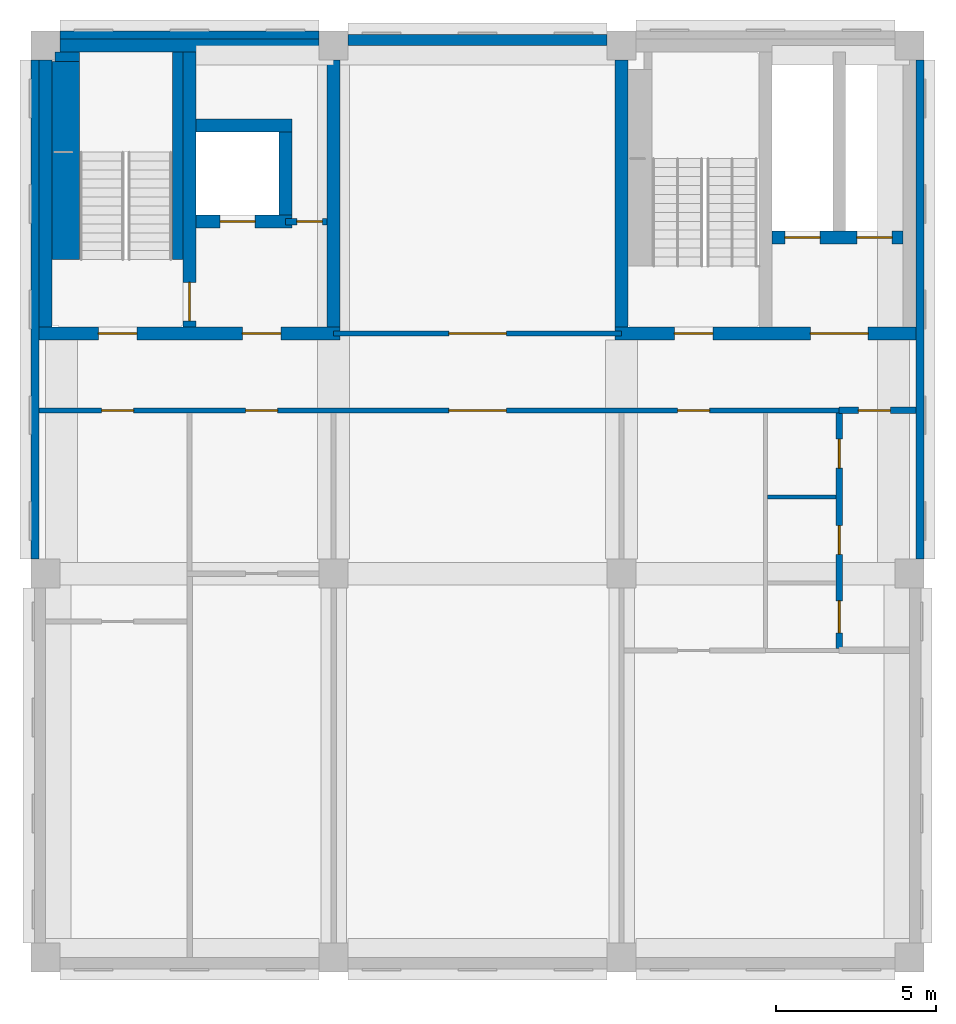
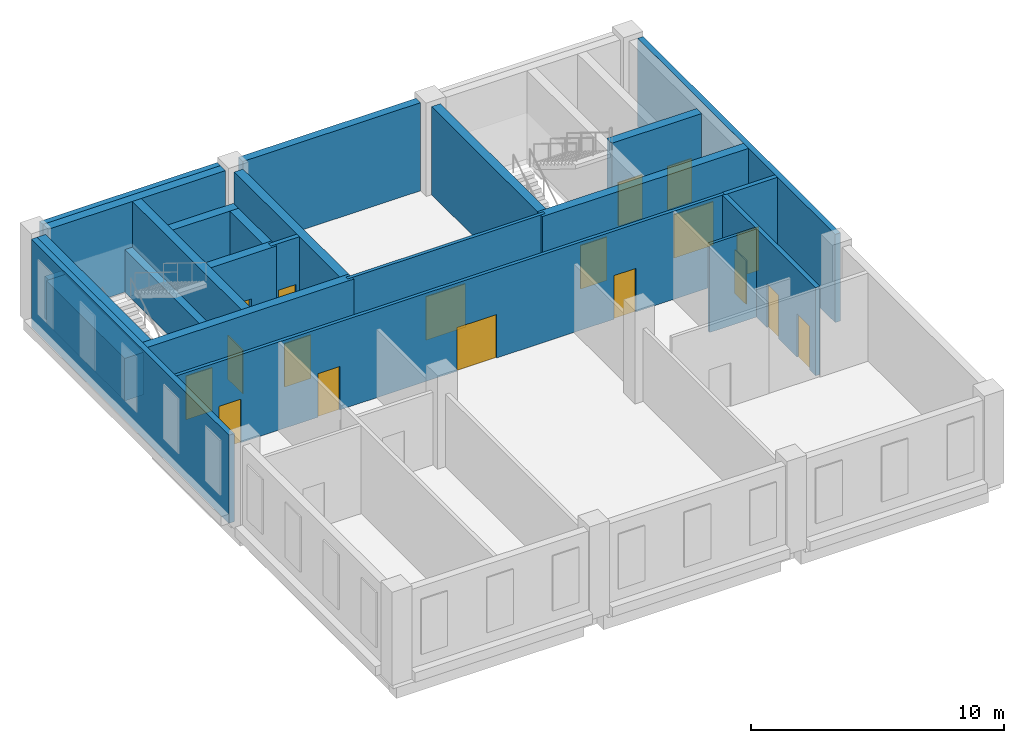
# One storey, part 2 of 5: 24 walls, 18 doors, 18 openings.
"""IFC4 building model written with IfcOpenShell, lengths in metres."""

import ifcopenshell
import ifcopenshell.guid

model = None  # the IFC model being written
_history = None  # IfcOwnerHistory: only IFC2X3 demands one
_inside = {}  # id of a spatial element -> (the spatial element, [elements in it])
_under = {}  # id of a project, library or spatial element -> (it, [spatial elements below it])
_declared = {}  # id of a project -> (the project, [libraries it declares])
_typed = {}  # id of a type object -> (the type object, [elements of that type])
_made_of = {}  # id of a material, layer set ... -> (it, [elements and type objects made of it])


def new_model(schema):
    """Start an empty IFC model of exactly this schema.

    Asked for "IFC4X3", IfcOpenShell would pick the latest addendum, in which some entities
    have other attributes; the version numbers below select the first issue.
    IFC2X3 requires an IfcOwnerHistory on every rooted entity: one is made here for all.
    """
    global model, _history
    if schema == "IFC4X3":
        model = ifcopenshell.file(schema_version=(4, 3, 0, 0))
    else:
        model = ifcopenshell.file(schema=schema)
    _inside.clear()
    _under.clear()
    _declared.clear()
    _typed.clear()
    _made_of.clear()
    _history = None
    if model.schema == "IFC2X3":
        org = make("IfcOrganization", Name="unknown")
        user = make(
            "IfcPersonAndOrganization",
            ThePerson=make("IfcPerson", FamilyName="unknown"),
            TheOrganization=org,
        )
        app = make(
            "IfcApplication",
            ApplicationDeveloper=org,
            Version="unknown",
            ApplicationFullName="unknown",
            ApplicationIdentifier="unknown",
        )
        _history = make(
            "IfcOwnerHistory",
            OwningUser=user,
            OwningApplication=app,
            ChangeAction="ADDED",
            CreationDate=0,
        )
    return model


def make(cls, **values):
    """One entity of the class cls with the attributes given. An attribute that is None is left unset."""
    return model.create_entity(
        cls, **{name: value for name, value in values.items() if value is not None}
    )


def rooted(cls, **values):
    """An entity with a GlobalId (a new one), such as an element, a storey or a relation."""
    return make(cls, GlobalId=ifcopenshell.guid.new(), OwnerHistory=_history, **values)


def si_unit(unit_type, name, prefix=None):
    """IfcSIUnit, for example si_unit("LENGTHUNIT", "METRE", prefix="MILLI")."""
    return make("IfcSIUnit", UnitType=unit_type, Prefix=prefix, Name=name)


def assignment(units):
    """IfcUnitAssignment: the units of a project."""
    return None if units is None else make("IfcUnitAssignment", Units=units)


def point(xyz):
    """IfcCartesianPoint."""
    return None if xyz is None else make("IfcCartesianPoint", Coordinates=xyz)


def direction(xyz):
    """IfcDirection."""
    return None if xyz is None else make("IfcDirection", DirectionRatios=xyz)


def frame(location, z_axis=None, x_axis=None):
    """IfcAxis2Placement3D, a coordinate frame: its origin and axes. An axis left out is left unset."""
    return make(
        "IfcAxis2Placement3D",
        Location=point(location),
        Axis=direction(z_axis),
        RefDirection=direction(x_axis),
    )


def frame_2d(location, x_axis=None):
    """IfcAxis2Placement2D, a coordinate frame in the plane: its origin and x axis."""
    return make(
        "IfcAxis2Placement2D", Location=point(location), RefDirection=direction(x_axis)
    )


def origin():
    """The frame at (0, 0, 0) with its axes left unset."""
    return frame((0.0, 0.0, 0.0))


def place(relative_to, where):
    """IfcLocalPlacement: puts the frame where relative to a parent placement (None: the world)."""
    return make(
        "IfcLocalPlacement", PlacementRelTo=relative_to, RelativePlacement=where
    )


def context(
    kind, dimensions, precision=None, world=None, true_north=None, identifier=None
):
    """IfcGeometricRepresentationContext, for example the 3D "Model" context."""
    return make(
        "IfcGeometricRepresentationContext",
        ContextIdentifier=identifier,
        ContextType=kind,
        CoordinateSpaceDimension=dimensions,
        Precision=precision,
        WorldCoordinateSystem=world,
        TrueNorth=true_north,
    )


def subcontext(parent, identifier, kind, view, scale=None):
    """IfcGeometricRepresentationSubContext, for example "Body" below "Model"."""
    return make(
        "IfcGeometricRepresentationSubContext",
        ContextIdentifier=identifier,
        ContextType=kind,
        ParentContext=parent,
        TargetScale=scale,
        TargetView=view,
    )


def project(units=None, contexts=None):
    """IfcProject with its units and contexts."""
    return rooted(
        "IfcProject",
        Name="project",
        RepresentationContexts=contexts,
        UnitsInContext=assignment(units),
    )


def spatial(cls, under=None, at=None, **own):
    """A site, building, storey or space (cls), placed at a placement, below another one or the project."""
    s = rooted(cls, ObjectPlacement=at, **own)
    if under is not None:
        _under.setdefault(under.id(), (under, []))[1].append(s)
    return s


def profile(cls, at=None, kind="AREA", **sizes):
    """A parametric profile (cls). Its sizes go by their IFC names, for example OverallWidth=200.0."""
    return make(cls, ProfileType=kind, Position=at, **sizes)


def rectangle(**sizes):
    """IfcRectangleProfileDef."""
    return profile("IfcRectangleProfileDef", **sizes)


def extrude(swept, where, along, depth):
    """IfcExtrudedAreaSolid: the profile swept, set in the frame where, extruded along a direction by depth."""
    return make(
        "IfcExtrudedAreaSolid",
        SweptArea=swept,
        Position=where,
        ExtrudedDirection=direction(along),
        Depth=depth,
    )


def shape(context_of_items, identifier, shape_type, items):
    """IfcShapeRepresentation: the items that make up one representation, for example the "Body"."""
    return make(
        "IfcShapeRepresentation",
        ContextOfItems=context_of_items,
        RepresentationIdentifier=identifier,
        RepresentationType=shape_type,
        Items=items,
    )


def material(Name=None, Category=None):
    """IfcMaterial."""
    return make("IfcMaterial", Name=Name, Category=Category)


def layer(
    of_material, thickness, ventilated=None, Name=None, Category=None, Priority=None
):
    """IfcMaterialLayer: one layer of a wall or slab, of a material (None: an air gap)."""
    return make(
        "IfcMaterialLayer",
        Material=of_material,
        LayerThickness=thickness,
        IsVentilated=ventilated,
        Name=Name,
        Category=Category,
        Priority=Priority,
    )


def layer_set(layers, Name=None):
    """IfcMaterialLayerSet."""
    return make("IfcMaterialLayerSet", MaterialLayers=layers, LayerSetName=Name)


def made_of(thing, what):
    """Note that an element or type object is made of a material, layer set ...; save() writes the relation."""
    if what is not None:
        _made_of.setdefault(what.id(), (what, []))[1].append(thing)
    return thing


def type_object(cls, material=None, **own):
    """A type object (cls), such as IfcWallType, which elements share."""
    return made_of(rooted(cls, **own), material)


def element(
    cls,
    number,
    at=None,
    inside=None,
    cuts=None,
    type_object=None,
    material=None,
    context=None,
    identifier="Body",
    shape_type=None,
    held_by="IfcProductDefinitionShape",
    body=None,
    shapes=None,
    **own,
):
    """One element of the class cls, such as IfcWall. Its Tag is "e" and its number.

    at: its placement. inside: the storey or other place that contains it. cuts: it is an
    opening in that element (IfcRelVoidsElement). A single representation is given by context,
    identifier, shape_type and body (its items); several are given by shapes. held_by: the class
    of the entity that holds the representations. save() writes the other relations.
    """
    e = rooted(cls, Tag="e%d" % number, ObjectPlacement=at, **own)
    if body is not None:
        shapes = [shape(context, identifier, shape_type, body)]
    if shapes is not None:
        e.Representation = make(held_by, Representations=shapes)
    if inside is not None:
        _inside.setdefault(inside.id(), (inside, []))[1].append(e)
    if cuts is not None:
        rooted(
            "IfcRelVoidsElement", RelatingBuildingElement=cuts, RelatedOpeningElement=e
        )
    if type_object is not None:
        _typed.setdefault(type_object.id(), (type_object, []))[1].append(e)
    return made_of(e, material)


def fill(opening, filler):
    """IfcRelFillsElement: the door or window that sits in an opening."""
    return rooted(
        "IfcRelFillsElement",
        RelatingOpeningElement=opening,
        RelatedBuildingElement=filler,
    )


def aggregate(whole, parts):
    """IfcRelAggregates: a whole, such as a stair, and the parts it consists of."""
    return rooted("IfcRelAggregates", RelatingObject=whole, RelatedObjects=parts)


def save(model, path):
    """Write the relations noted so far, then the file.

    IfcRelAggregates (storeys below a building ...), IfcRelContainedInSpatialStructure (elements
    in a storey), IfcRelDefinesByType, IfcRelAssociatesMaterial and IfcRelDeclares: one each for
    every whole, place, type object, material and project.
    """
    for whole, parts in _under.values():
        aggregate(whole, parts)
    for where, things in _inside.values():
        rooted(
            "IfcRelContainedInSpatialStructure",
            RelatedElements=things,
            RelatingStructure=where,
        )
    for kind, things in _typed.values():
        rooted("IfcRelDefinesByType", RelatedObjects=things, RelatingType=kind)
    for what, things in _made_of.values():
        rooted("IfcRelAssociatesMaterial", RelatedObjects=things, RelatingMaterial=what)
    for by, libraries in _declared.values():
        rooted("IfcRelDeclares", RelatingContext=by, RelatedDefinitions=libraries)
    model.write(path)


model = new_model("IFC4")

# Units and contexts
model_context = context("Model", 3, precision=1e-05, world=origin(), true_north=direction((0.0, 1.0)))
body_context = subcontext(model_context, "Body", "Model", "MODEL_VIEW")
ifc_project = project(units=[si_unit("LENGTHUNIT", "METRE"), si_unit("AREAUNIT", "SQUARE_METRE"), si_unit("VOLUMEUNIT", "CUBIC_METRE"), si_unit("PLANEANGLEUNIT", "RADIAN"), si_unit("MASSUNIT", "GRAM", prefix="KILO")], contexts=[model_context])

# Site, building, storey
site_placement = place(None, origin())
site = spatial("IfcSite", under=ifc_project, at=site_placement, CompositionType="ELEMENT")
building_placement = place(site_placement, origin())
building = spatial("IfcBuilding", under=site, at=building_placement, Name="Aurelan Courthouse", CompositionType="ELEMENT")
storey_placement = place(building_placement, frame((0.0, 0.0, 53.39990234375)))
storey = spatial("IfcBuildingStorey", under=building, at=storey_placement, Name="L10", CompositionType="ELEMENT", Elevation=53.39990234375)

# Wall, openings, doors
ifc_material_1 = material(Name="Gypsum board on metal studs")
ifc_layer_1 = layer(ifc_material_1, 0.14990234375)
ifc_layer_set_1 = layer_set([ifc_layer_1], Name="Gypsum board on metal studs")
wall_type_1 = type_object("IfcWallType", Name="Corridor partition 150 EI 60", PredefinedType="PARTITIONING", material=ifc_layer_set_1)
wall_1_placement = place(storey_placement, frame((-0.199951171875, 17.10009765625, 0.0), z_axis=(0.0, 0.0, 1.0), x_axis=(1.0, 0.0, 0.0)))
wall_1 = element("IfcWall", 1, at=wall_1_placement, inside=storey, type_object=wall_type_1, Name="Corridor partition L10-008", PredefinedType="PARTITIONING", context=body_context, shape_type="SweptSolid", body=[
    extrude(rectangle(XDim=25.0, YDim=0.14990234375, at=frame_2d((12.5, 0.0))), origin(), (0.0, 0.0, 1.0), 4.25),
])
opening_1_placement = place(wall_1_placement, frame((2.949951171875, 0.0, 0.0), z_axis=(0.0, 0.0, 1.0), x_axis=(-1.0, 0.0, 0.0)))
opening_1 = element("IfcOpeningElement", 2, at=opening_1_placement, cuts=wall_1, Name="Opening D-L10-010", PredefinedType="OPENING", context=body_context, shape_type="SweptSolid", body=[
    extrude(rectangle(XDim=1.0, YDim=2.10009765625, at=frame_2d((0.5, 1.050048828125))), frame((0.0, 0.0849609375, 0.0), z_axis=(0.0, -1.0, 0.0), x_axis=(1.0, 0.0, 0.0)), (0.0, 0.0, 1.0), 0.169921875),
])
opening_2_placement = place(wall_1_placement, frame((7.449951171875, 0.0, 0.0), z_axis=(0.0, 0.0, 1.0), x_axis=(-1.0, 0.0, 0.0)))
opening_2 = element("IfcOpeningElement", 3, at=opening_2_placement, cuts=wall_1, Name="Opening D-L10-012", PredefinedType="OPENING", context=body_context, shape_type="SweptSolid", body=[
    extrude(rectangle(XDim=1.0, YDim=2.10009765625, at=frame_2d((0.5, 1.050048828125))), frame((0.0, 0.0849609375, 0.0), z_axis=(0.0, -1.0, 0.0), x_axis=(1.0, 0.0, 0.0)), (0.0, 0.0, 1.0), 0.169921875),
])
opening_3_placement = place(wall_1_placement, frame((14.60009765625, 0.0, 0.0), z_axis=(0.0, 0.0, 1.0), x_axis=(-1.0, 0.0, 0.0)))
opening_3 = element("IfcOpeningElement", 4, at=opening_3_placement, cuts=wall_1, Name="Opening D-L10-014", PredefinedType="OPENING", context=body_context, shape_type="SweptSolid", body=[
    extrude(rectangle(XDim=1.800048828125, YDim=2.10009765625, at=frame_2d((0.89990234375, 1.050048828125))), frame((0.0, 0.0849609375, 0.0), z_axis=(0.0, -1.0, 0.0), x_axis=(1.0, 0.0, 0.0)), (0.0, 0.0, 1.0), 0.169921875),
])
opening_4_placement = place(wall_1_placement, frame((20.949951171875, 0.0, 0.0), z_axis=(0.0, 0.0, 1.0), x_axis=(-1.0, 0.0, 0.0)))
opening_4 = element("IfcOpeningElement", 5, at=opening_4_placement, cuts=wall_1, Name="Opening D-L10-016", PredefinedType="OPENING", context=body_context, shape_type="SweptSolid", body=[
    extrude(rectangle(XDim=1.0, YDim=2.10009765625, at=frame_2d((0.5, 1.050048828125))), frame((0.0, 0.0849609375, 0.0), z_axis=(0.0, -1.0, 0.0), x_axis=(1.0, 0.0, 0.0)), (0.0, 0.0, 1.0), 0.169921875),
])
ifc_material_2 = material(Name="Steel", Category="steel")
door_type_1 = type_object("IfcDoorType", Name="Double door 1800 x 2100 FD60", OperationType="DOUBLE_DOOR_SINGLE_SWING", PredefinedType="DOOR", material=ifc_material_2)
door_1_placement = place(opening_3_placement, origin())
door_1 = element("IfcDoor", 6, at=door_1_placement, inside=storey, type_object=door_type_1, Name="Double door D-L10-014", OperationType="DOUBLE_DOOR_SINGLE_SWING", OverallHeight=2.10009765625, OverallWidth=1.800048828125, PredefinedType="DOOR", context=body_context, shape_type="SweptSolid", body=[
    extrude(rectangle(XDim=1.800048828125, YDim=2.10009765625, at=frame_2d((0.89990234375, 1.050048828125))), frame((0.0, 0.02490234375, 0.0), z_axis=(0.0, -1.0, 0.0), x_axis=(1.0, 0.0, 0.0)), (0.0, 0.0, 1.0), 0.050048828125),
])
fill(opening_3, door_1)
door_type_2 = type_object("IfcDoorType", Name="Single door 1000 x 2100 FD60", OperationType="SINGLE_SWING_LEFT", PredefinedType="DOOR", material=ifc_material_2)
door_2_placement = place(opening_1_placement, origin())
door_2 = element("IfcDoor", 7, at=door_2_placement, inside=storey, type_object=door_type_2, Name="Single door D-L10-010", OperationType="SINGLE_SWING_LEFT", OverallHeight=2.10009765625, OverallWidth=1.0, PredefinedType="DOOR", context=body_context, shape_type="SweptSolid", body=[
    extrude(rectangle(XDim=1.0, YDim=2.10009765625, at=frame_2d((0.5, 1.050048828125))), frame((0.0, 0.02490234375, 0.0), z_axis=(0.0, -1.0, 0.0), x_axis=(1.0, 0.0, 0.0)), (0.0, 0.0, 1.0), 0.050048828125),
])
fill(opening_1, door_2)
door_3_placement = place(opening_2_placement, origin())
door_3 = element("IfcDoor", 8, at=door_3_placement, inside=storey, type_object=door_type_2, Name="Single door D-L10-012", OperationType="SINGLE_SWING_RIGHT", OverallHeight=2.10009765625, OverallWidth=1.0, PredefinedType="DOOR", context=body_context, shape_type="SweptSolid", body=[
    extrude(rectangle(XDim=1.0, YDim=2.10009765625, at=frame_2d((0.5, 1.050048828125))), frame((0.0, 0.02490234375, 0.0), z_axis=(0.0, -1.0, 0.0), x_axis=(1.0, 0.0, 0.0)), (0.0, 0.0, 1.0), 0.050048828125),
])
fill(opening_2, door_3)
door_4_placement = place(opening_4_placement, origin())
door_4 = element("IfcDoor", 9, at=door_4_placement, inside=storey, type_object=door_type_2, Name="Single door D-L10-016", OperationType="SINGLE_SWING_RIGHT", OverallHeight=2.10009765625, OverallWidth=1.0, PredefinedType="DOOR", context=body_context, shape_type="SweptSolid", body=[
    extrude(rectangle(XDim=1.0, YDim=2.10009765625, at=frame_2d((0.5, 1.050048828125))), frame((0.0, 0.02490234375, 0.0), z_axis=(0.0, -1.0, 0.0), x_axis=(1.0, 0.0, 0.0)), (0.0, 0.0, 1.0), 0.050048828125),
])
fill(opening_4, door_4)

# Wall, opening, door
wall_2_placement = place(storey_placement, frame((9.0, 19.5, 0.0), z_axis=(0.0, 0.0, 1.0), x_axis=(1.0, 0.0, 0.0)))
wall_2 = element("IfcWall", 10, at=wall_2_placement, inside=storey, type_object=wall_type_1, Name="Corridor partition L10-010", PredefinedType="PARTITIONING", context=body_context, shape_type="SweptSolid", body=[
    extrude(rectangle(XDim=9.0, YDim=0.14990234375, at=frame_2d((4.5, 0.0))), origin(), (0.0, 0.0, 1.0), 4.25),
])
opening_5_placement = place(wall_2_placement, frame((3.60009765625, 0.0, 0.0)))
opening_5 = element("IfcOpeningElement", 11, at=opening_5_placement, cuts=wall_2, Name="Opening D-L10-015", PredefinedType="OPENING", context=body_context, shape_type="SweptSolid", body=[
    extrude(rectangle(XDim=1.800048828125, YDim=2.10009765625, at=frame_2d((0.89990234375, 1.050048828125))), frame((0.0, 0.0849609375, 0.0), z_axis=(0.0, -1.0, 0.0), x_axis=(1.0, 0.0, 0.0)), (0.0, 0.0, 1.0), 0.169921875),
])
door_5_placement = place(opening_5_placement, origin())
door_5 = element("IfcDoor", 12, at=door_5_placement, inside=storey, type_object=door_type_1, Name="Double door D-L10-015", OperationType="DOUBLE_DOOR_SINGLE_SWING", OverallHeight=2.10009765625, OverallWidth=1.800048828125, PredefinedType="DOOR", context=body_context, shape_type="SweptSolid", body=[
    extrude(rectangle(XDim=1.800048828125, YDim=2.10009765625, at=frame_2d((0.89990234375, 1.050048828125))), frame((0.0, 0.02490234375, 0.0), z_axis=(0.0, -1.0, 0.0), x_axis=(1.0, 0.0, 0.0)), (0.0, 0.0, 1.0), 0.050048828125),
])
fill(opening_5, door_5)

# Walls
ifc_material_3 = material(Name="Limestone cladding", Category="masonry")
ifc_layer_2 = layer(ifc_material_3, 0.070068359375, Name="Facing")
ifc_material_4 = material(Name="Ventilated cavity")
ifc_layer_3 = layer(ifc_material_4, 0.02490234375, ventilated=True, Name="Ventilated cavity")
ifc_material_5 = material(Name="Mineral wool insulation")
ifc_layer_4 = layer(ifc_material_5, 0.034912109375, Name="Insulation")
ifc_material_6 = material(Name="Concrete C30", Category="concrete")
ifc_layer_5 = layer(ifc_material_6, 0.1201171875, Name="Structure")
ifc_layer_set_2 = layer_set([ifc_layer_2, ifc_layer_3, ifc_layer_4, ifc_layer_5], Name="Concrete C30")
wall_type_2 = type_object("IfcWallType", Name="Courts' Floors stone-faced wall 250", PredefinedType="SOLIDWALL", material=ifc_layer_set_2)
wall_3_placement = place(storey_placement, frame((0.449951171875, 28.824951171875, 0.0), z_axis=(0.0, 0.0, 1.0), x_axis=(1.0, 0.0, 0.0)))
element("IfcWall", 13, at=wall_3_placement, inside=storey, type_object=wall_type_2, Name="Facade wall FW-V5-L10-004", PredefinedType="SOLIDWALL", context=body_context, shape_type="SweptSolid", body=[
    extrude(rectangle(XDim=8.10009765625, YDim=0.25, at=frame_2d((4.050048828125, 0.0))), origin(), (0.0, 0.0, 1.0), 4.25),
])
for number, where, z_axis, x_axis, name in (
    (14, (27.324951171875, 12.449951171875, 0.0), (0.0, 0.0, 1.0), (0.0, 1.0, 0.0), "Facade wall FW-V5-L10-008"),
    (15, (-0.324951171875, 12.449951171875, 0.0), (0.0, 0.0, 1.0), (0.0, 1.0, 0.0), "Facade wall FW-V5-L10-010"),
):
    element("IfcWall", number, at=place(storey_placement, frame(where, z_axis=z_axis, x_axis=x_axis)), inside=storey, type_object=wall_type_2, Name=name, PredefinedType="SOLIDWALL", context=body_context, shape_type="SweptSolid", body=[
        extrude(rectangle(XDim=15.60009765625, YDim=0.25, at=frame_2d((7.800048828125, 0.0))), origin(), (0.0, 0.0, 1.0), 4.25),
    ])
ifc_layer_6 = layer(ifc_material_3, 0.10009765625, Name="Facing")
ifc_layer_7 = layer(ifc_material_4, 0.02490234375, ventilated=True, Name="Ventilated cavity")
ifc_layer_8 = layer(ifc_material_5, 0.050048828125, Name="Insulation")
ifc_layer_9 = layer(ifc_material_6, 0.175048828125, Name="Structure")
ifc_layer_set_3 = layer_set([ifc_layer_6, ifc_layer_7, ifc_layer_8, ifc_layer_9], Name="Concrete C30")
wall_type_3 = type_object("IfcWallType", Name="Courts' Floors stone-faced wall 350", PredefinedType="SOLIDWALL", material=ifc_layer_set_3)
wall_4_placement = place(storey_placement, frame((9.449951171875, 28.675048828125, 0.0), z_axis=(0.0, 0.0, 1.0), x_axis=(1.0, 0.0, 0.0)))
element("IfcWall", 16, at=wall_4_placement, inside=storey, type_object=wall_type_3, Name="Facade wall FW-V5-L10-005", PredefinedType="SOLIDWALL", context=body_context, shape_type="SweptSolid", body=[
    extrude(rectangle(XDim=8.10009765625, YDim=0.35009765625, at=frame_2d((4.050048828125, 0.0))), origin(), (0.0, 0.0, 1.0), 4.25),
])

# Wall, opening, door
ifc_material_7 = material(Name="Masonry block", Category="masonry")
ifc_layer_10 = layer(ifc_material_7, 0.199951171875)
ifc_layer_set_4 = layer_set([ifc_layer_10], Name="Masonry block")
wall_type_4 = type_object("IfcWallType", Name="Lift lobby wall 200 EI 60", PredefinedType="PARTITIONING", material=ifc_layer_set_4)
wall_5_placement = place(storey_placement, frame((24.800048828125, 17.10009765625, 0.0), z_axis=(0.0, 0.0, 1.0), x_axis=(1.0, 0.0, 0.0)))
wall_5 = element("IfcWall", 17, at=wall_5_placement, inside=storey, type_object=wall_type_4, Name="Lift lobby wall L10-009", PredefinedType="PARTITIONING", context=body_context, shape_type="SweptSolid", body=[
    extrude(rectangle(XDim=2.39990234375, YDim=0.199951171875, at=frame_2d((1.199951171875, 0.0))), origin(), (0.0, 0.0, 1.0), 4.25),
])
opening_6_placement = place(wall_5_placement, frame((0.60009765625, 0.0, 0.0)))
opening_6 = element("IfcOpeningElement", 18, at=opening_6_placement, cuts=wall_5, Name="Opening D-L10-017", PredefinedType="OPENING", context=body_context, shape_type="SweptSolid", body=[
    extrude(rectangle(XDim=1.0, YDim=2.10009765625, at=frame_2d((0.5, 1.050048828125))), frame((0.0, 0.10986328125, 0.0), z_axis=(0.0, -1.0, 0.0), x_axis=(1.0, 0.0, 0.0)), (0.0, 0.0, 1.0), 0.219970703125),
])
door_6_placement = place(opening_6_placement, origin())
door_6 = element("IfcDoor", 19, at=door_6_placement, inside=storey, type_object=door_type_2, Name="Single door D-L10-017", OperationType="SINGLE_SWING_RIGHT", OverallHeight=2.10009765625, OverallWidth=1.0, PredefinedType="DOOR", context=body_context, shape_type="SweptSolid", body=[
    extrude(rectangle(XDim=1.0, YDim=2.10009765625, at=frame_2d((0.5, 1.050048828125))), frame((0.0, 0.02490234375, 0.0), z_axis=(0.0, -1.0, 0.0), x_axis=(1.0, 0.0, 0.0)), (0.0, 0.0, 1.0), 0.050048828125),
])
fill(opening_6, door_6)

# Wall, openings, doors
wall_6_placement = place(storey_placement, frame((24.800048828125, 9.66259765625, 0.0), z_axis=(0.0, 0.0, 1.0), x_axis=(0.0, 1.0, 0.0)))
wall_6 = element("IfcWall", 20, at=wall_6_placement, inside=storey, type_object=wall_type_4, Name="Lift lobby wall L10-019", PredefinedType="PARTITIONING", context=body_context, shape_type="SweptSolid", body=[
    extrude(rectangle(XDim=7.3623046875, YDim=0.199951171875, at=frame_2d((3.68115234375, 0.0))), origin(), (0.0, 0.0, 1.0), 4.25),
])
opening_7_placement = place(wall_6_placement, frame((5.637451171875, 0.0, 0.0)))
opening_7 = element("IfcOpeningElement", 21, at=opening_7_placement, cuts=wall_6, Name="Opening D-L10-019", PredefinedType="OPENING", context=body_context, shape_type="SweptSolid", body=[
    extrude(rectangle(XDim=0.89990234375, YDim=2.10009765625, at=frame_2d((0.449951171875, 1.050048828125))), frame((0.0, 0.10986328125, 0.0), z_axis=(0.0, -1.0, 0.0), x_axis=(1.0, 0.0, 0.0)), (0.0, 0.0, 1.0), 0.219970703125),
])
opening_8_placement = place(wall_6_placement, frame((2.9375, 0.0, 0.0)))
opening_8 = element("IfcOpeningElement", 22, at=opening_8_placement, cuts=wall_6, Name="Opening D-L10-020", PredefinedType="OPENING", context=body_context, shape_type="SweptSolid", body=[
    extrude(rectangle(XDim=0.89990234375, YDim=2.10009765625, at=frame_2d((0.449951171875, 1.050048828125))), frame((0.0, 0.10986328125, 0.0), z_axis=(0.0, -1.0, 0.0), x_axis=(1.0, 0.0, 0.0)), (0.0, 0.0, 1.0), 0.219970703125),
])
opening_9_placement = place(wall_6_placement, frame((0.487548828125, 0.0, 0.0)))
opening_9 = element("IfcOpeningElement", 23, at=opening_9_placement, cuts=wall_6, Name="Opening D-L10-021", PredefinedType="OPENING", context=body_context, shape_type="SweptSolid", body=[
    extrude(rectangle(XDim=1.0, YDim=2.10009765625, at=frame_2d((0.5, 1.050048828125))), frame((0.0, 0.10986328125, 0.0), z_axis=(0.0, -1.0, 0.0), x_axis=(1.0, 0.0, 0.0)), (0.0, 0.0, 1.0), 0.219970703125),
])
door_7_placement = place(opening_9_placement, origin())
door_7 = element("IfcDoor", 24, at=door_7_placement, inside=storey, type_object=door_type_2, Name="Single door D-L10-021", OperationType="SINGLE_SWING_RIGHT", OverallHeight=2.10009765625, OverallWidth=1.0, PredefinedType="DOOR", context=body_context, shape_type="SweptSolid", body=[
    extrude(rectangle(XDim=1.0, YDim=2.10009765625, at=frame_2d((0.5, 1.050048828125))), frame((0.0, 0.02490234375, 0.0), z_axis=(0.0, -1.0, 0.0), x_axis=(1.0, 0.0, 0.0)), (0.0, 0.0, 1.0), 0.050048828125),
])
fill(opening_9, door_7)
door_type_3 = type_object("IfcDoorType", Name="Single door 900 x 2100 FD60", OperationType="SINGLE_SWING_LEFT", PredefinedType="DOOR", material=ifc_material_2)
door_8_placement = place(opening_7_placement, origin())
door_8 = element("IfcDoor", 25, at=door_8_placement, inside=storey, type_object=door_type_3, Name="Single door D-L10-019", OperationType="SINGLE_SWING_RIGHT", OverallHeight=2.10009765625, OverallWidth=0.89990234375, PredefinedType="DOOR", context=body_context, shape_type="SweptSolid", body=[
    extrude(rectangle(XDim=0.89990234375, YDim=2.10009765625, at=frame_2d((0.449951171875, 1.050048828125))), frame((0.0, 0.02490234375, 0.0), z_axis=(0.0, -1.0, 0.0), x_axis=(1.0, 0.0, 0.0)), (0.0, 0.0, 1.0), 0.050048828125),
])
fill(opening_7, door_8)
door_9_placement = place(opening_8_placement, origin())
door_9 = element("IfcDoor", 26, at=door_9_placement, inside=storey, type_object=door_type_3, Name="Single door D-L10-020", OperationType="SINGLE_SWING_LEFT", OverallHeight=2.10009765625, OverallWidth=0.89990234375, PredefinedType="DOOR", context=body_context, shape_type="SweptSolid", body=[
    extrude(rectangle(XDim=0.89990234375, YDim=2.10009765625, at=frame_2d((0.449951171875, 1.050048828125))), frame((0.0, 0.02490234375, 0.0), z_axis=(0.0, -1.0, 0.0), x_axis=(1.0, 0.0, 0.0)), (0.0, 0.0, 1.0), 0.050048828125),
])
fill(opening_8, door_9)

ifc_material_8 = material(Name="Concrete C50", Category="concrete")
ifc_layer_11 = layer(ifc_material_8, 0.39990234375)
ifc_layer_set_5 = layer_set([ifc_layer_11], Name="Concrete C50")
wall_type_5 = type_object("IfcWallType", Name="RC shear wall 400", PredefinedType="SHEAR", material=ifc_layer_set_5)
wall_7_placement = place(storey_placement, frame((-0.199951171875, 19.5, 0.0), z_axis=(0.0, 0.0, 1.0), x_axis=(1.0, 0.0, 0.0)))
wall_7 = element("IfcWall", 27, at=wall_7_placement, inside=storey, type_object=wall_type_5, Name="Core wall SW-L10-001", PredefinedType="SHEAR", context=body_context, shape_type="SweptSolid", body=[
    extrude(rectangle(XDim=9.39990234375, YDim=0.39990234375, at=frame_2d((4.699951171875, 0.0))), origin(), (0.0, 0.0, 1.0), 4.25),
])
opening_10_placement = place(wall_7_placement, frame((1.85009765625, 0.0, 0.0)))
opening_10 = element("IfcOpeningElement", 28, at=opening_10_placement, cuts=wall_7, Name="Opening D-L10-001", PredefinedType="OPENING", context=body_context, shape_type="SweptSolid", body=[
    extrude(rectangle(XDim=1.199951171875, YDim=2.10009765625, at=frame_2d((0.60009765625, 1.050048828125))), frame((0.0, 0.2099609375, 0.0), z_axis=(0.0, -1.0, 0.0), x_axis=(1.0, 0.0, 0.0)), (0.0, 0.0, 1.0), 0.419921875),
])
opening_11_placement = place(wall_7_placement, frame((6.35009765625, 0.0, 0.0)))
opening_11 = element("IfcOpeningElement", 29, at=opening_11_placement, cuts=wall_7, Name="Opening D-L10-003", PredefinedType="OPENING", context=body_context, shape_type="SweptSolid", body=[
    extrude(rectangle(XDim=1.199951171875, YDim=2.10009765625, at=frame_2d((0.60009765625, 1.050048828125))), frame((0.0, 0.2099609375, 0.0), z_axis=(0.0, -1.0, 0.0), x_axis=(1.0, 0.0, 0.0)), (0.0, 0.0, 1.0), 0.419921875),
])
door_type_4 = type_object("IfcDoorType", Name="Single door 1200 x 2100 FD90", OperationType="SINGLE_SWING_LEFT", PredefinedType="DOOR", material=ifc_material_2)
door_10_placement = place(opening_10_placement, origin())
door_10 = element("IfcDoor", 30, at=door_10_placement, inside=storey, type_object=door_type_4, Name="Single door D-L10-001", OperationType="SINGLE_SWING_RIGHT", OverallHeight=2.10009765625, OverallWidth=1.199951171875, PredefinedType="DOOR", context=body_context, shape_type="SweptSolid", body=[
    extrude(rectangle(XDim=1.199951171875, YDim=2.10009765625, at=frame_2d((0.60009765625, 1.050048828125))), frame((0.0, 0.02490234375, 0.0), z_axis=(0.0, -1.0, 0.0), x_axis=(1.0, 0.0, 0.0)), (0.0, 0.0, 1.0), 0.050048828125),
])
fill(opening_10, door_10)
door_11_placement = place(opening_11_placement, origin())
door_11 = element("IfcDoor", 31, at=door_11_placement, inside=storey, type_object=door_type_4, Name="Single door D-L10-003", OperationType="SINGLE_SWING_RIGHT", OverallHeight=2.10009765625, OverallWidth=1.199951171875, PredefinedType="DOOR", context=body_context, shape_type="SweptSolid", body=[
    extrude(rectangle(XDim=1.199951171875, YDim=2.10009765625, at=frame_2d((0.60009765625, 1.050048828125))), frame((0.0, 0.02490234375, 0.0), z_axis=(0.0, -1.0, 0.0), x_axis=(1.0, 0.0, 0.0)), (0.0, 0.0, 1.0), 0.050048828125),
])
fill(opening_11, door_11)

wall_8_placement = place(storey_placement, frame((17.800048828125, 19.5, 0.0), z_axis=(0.0, 0.0, 1.0), x_axis=(1.0, 0.0, 0.0)))
wall_8 = element("IfcWall", 32, at=wall_8_placement, inside=storey, type_object=wall_type_5, Name="Core wall SW-L10-002", PredefinedType="SHEAR", context=body_context, shape_type="SweptSolid", body=[
    extrude(rectangle(XDim=9.39990234375, YDim=0.39990234375, at=frame_2d((4.699951171875, 0.0))), origin(), (0.0, 0.0, 1.0), 4.25),
])
opening_12_placement = place(wall_8_placement, frame((1.85009765625, 0.0, 0.0)))
opening_12 = element("IfcOpeningElement", 33, at=opening_12_placement, cuts=wall_8, Name="Opening D-L10-006", PredefinedType="OPENING", context=body_context, shape_type="SweptSolid", body=[
    extrude(rectangle(XDim=1.199951171875, YDim=2.10009765625, at=frame_2d((0.60009765625, 1.050048828125))), frame((0.0, 0.2099609375, 0.0), z_axis=(0.0, -1.0, 0.0), x_axis=(1.0, 0.0, 0.0)), (0.0, 0.0, 1.0), 0.419921875),
])
opening_13_placement = place(wall_8_placement, frame((7.900146484375, 0.0, 0.0), z_axis=(0.0, 0.0, 1.0), x_axis=(-1.0, 0.0, 0.0)))
opening_13 = element("IfcOpeningElement", 34, at=opening_13_placement, cuts=wall_8, Name="Opening D-L10-007", PredefinedType="OPENING", context=body_context, shape_type="SweptSolid", body=[
    extrude(rectangle(XDim=1.800048828125, YDim=2.10009765625, at=frame_2d((0.89990234375, 1.050048828125))), frame((0.0, 0.2099609375, 0.0), z_axis=(0.0, -1.0, 0.0), x_axis=(1.0, 0.0, 0.0)), (0.0, 0.0, 1.0), 0.419921875),
])
door_type_5 = type_object("IfcDoorType", Name="Double door 1800 x 2100 FD90", OperationType="DOUBLE_DOOR_SINGLE_SWING", PredefinedType="DOOR", material=ifc_material_2)
door_12_placement = place(opening_13_placement, origin())
door_12 = element("IfcDoor", 35, at=door_12_placement, inside=storey, type_object=door_type_5, Name="Double door D-L10-007", OperationType="DOUBLE_DOOR_SINGLE_SWING", OverallHeight=2.10009765625, OverallWidth=1.800048828125, PredefinedType="DOOR", context=body_context, shape_type="SweptSolid", body=[
    extrude(rectangle(XDim=1.800048828125, YDim=2.10009765625, at=frame_2d((0.89990234375, 1.050048828125))), frame((0.0, 0.02490234375, 0.0), z_axis=(0.0, -1.0, 0.0), x_axis=(1.0, 0.0, 0.0)), (0.0, 0.0, 1.0), 0.050048828125),
])
fill(opening_13, door_12)
door_13_placement = place(opening_12_placement, origin())
door_13 = element("IfcDoor", 36, at=door_13_placement, inside=storey, type_object=door_type_4, Name="Single door D-L10-006", OperationType="SINGLE_SWING_LEFT", OverallHeight=2.10009765625, OverallWidth=1.199951171875, PredefinedType="DOOR", context=body_context, shape_type="SweptSolid", body=[
    extrude(rectangle(XDim=1.199951171875, YDim=2.10009765625, at=frame_2d((0.60009765625, 1.050048828125))), frame((0.0, 0.02490234375, 0.0), z_axis=(0.0, -1.0, 0.0), x_axis=(1.0, 0.0, 0.0)), (0.0, 0.0, 1.0), 0.050048828125),
])
fill(opening_12, door_13)

# Wall
wall_9_placement = place(storey_placement, frame((0.0, 19.699951171875, 0.0), z_axis=(0.0, 0.0, 1.0), x_axis=(0.0, 1.0, 0.0)))
element("IfcWall", 37, at=wall_9_placement, inside=storey, type_object=wall_type_5, Name="Core wall SW-L10-003", PredefinedType="SHEAR", context=body_context, shape_type="SweptSolid", body=[
    extrude(rectangle(XDim=8.35009765625, YDim=0.39990234375, at=frame_2d((4.175048828125, 0.0))), origin(), (0.0, 0.0, 1.0), 4.25),
])

# Wall, opening, door
wall_10_placement = place(storey_placement, frame((4.5, 19.699951171875, 0.0), z_axis=(0.0, 0.0, 1.0), x_axis=(0.0, 1.0, 0.0)))
wall_10 = element("IfcWall", 38, at=wall_10_placement, inside=storey, type_object=wall_type_5, Name="Core wall SW-L10-004", PredefinedType="SHEAR", context=body_context, shape_type="SweptSolid", body=[
    extrude(rectangle(XDim=8.60009765625, YDim=0.39990234375, at=frame_2d((4.300048828125, 0.0))), origin(), (0.0, 0.0, 1.0), 4.25),
])
opening_14_placement = place(wall_10_placement, frame((0.199951171875, 0.0, 0.0)))
opening_14 = element("IfcOpeningElement", 39, at=opening_14_placement, cuts=wall_10, Name="Opening D-L10-002", PredefinedType="OPENING", context=body_context, shape_type="SweptSolid", body=[
    extrude(rectangle(XDim=1.199951171875, YDim=2.10009765625, at=frame_2d((0.60009765625, 1.050048828125))), frame((0.0, 0.2099609375, 0.0), z_axis=(0.0, -1.0, 0.0), x_axis=(1.0, 0.0, 0.0)), (0.0, 0.0, 1.0), 0.419921875),
])
door_14_placement = place(opening_14_placement, origin())
door_14 = element("IfcDoor", 40, at=door_14_placement, inside=storey, type_object=door_type_4, Name="Single door D-L10-002", OperationType="SINGLE_SWING_LEFT", OverallHeight=2.10009765625, OverallWidth=1.199951171875, PredefinedType="DOOR", context=body_context, shape_type="SweptSolid", body=[
    extrude(rectangle(XDim=1.199951171875, YDim=2.10009765625, at=frame_2d((0.60009765625, 1.050048828125))), frame((0.0, 0.02490234375, 0.0), z_axis=(0.0, -1.0, 0.0), x_axis=(1.0, 0.0, 0.0)), (0.0, 0.0, 1.0), 0.050048828125),
])
fill(opening_14, door_14)

# Walls
for number, where, z_axis, x_axis, name in (
    (41, (9.0, 19.699951171875, 0.0), (0.0, 0.0, 1.0), (0.0, 1.0, 0.0), "Core wall SW-L10-005"),
    (42, (18.0, 19.699951171875, 0.0), (0.0, 0.0, 1.0), (0.0, 1.0, 0.0), "Core wall SW-L10-006"),
):
    element("IfcWall", number, at=place(storey_placement, frame(where, z_axis=z_axis, x_axis=x_axis)), inside=storey, type_object=wall_type_5, Name=name, PredefinedType="SHEAR", context=body_context, shape_type="SweptSolid", body=[
        extrude(rectangle(XDim=8.35009765625, YDim=0.39990234375, at=frame_2d((4.175048828125, 0.0))), origin(), (0.0, 0.0, 1.0), 4.25),
    ])

# Wall, openings, doors
wall_11_placement = place(storey_placement, frame((22.699951171875, 22.5, 0.0), z_axis=(0.0, 0.0, 1.0), x_axis=(1.0, 0.0, 0.0)))
wall_11 = element("IfcWall", 43, at=wall_11_placement, inside=storey, type_object=wall_type_5, Name="Core wall SW-L10-009", PredefinedType="SHEAR", context=body_context, shape_type="SweptSolid", body=[
    extrude(rectangle(XDim=4.10009765625, YDim=0.39990234375, at=frame_2d((2.050048828125, 0.0))), origin(), (0.0, 0.0, 1.0), 4.25),
])
opening_15_placement = place(wall_11_placement, frame((0.39990234375, 0.0, 0.0)))
opening_15 = element("IfcOpeningElement", 44, at=opening_15_placement, cuts=wall_11, Name="Opening LD-V5-P1-L10", PredefinedType="OPENING", context=body_context, shape_type="SweptSolid", body=[
    extrude(rectangle(XDim=1.10009765625, YDim=2.10009765625, at=frame_2d((0.550048828125, 1.050048828125))), frame((0.0, 0.2099609375, 0.0), z_axis=(0.0, -1.0, 0.0), x_axis=(1.0, 0.0, 0.0)), (0.0, 0.0, 1.0), 0.419921875),
])
opening_16_placement = place(wall_11_placement, frame((2.64990234375, 0.0, 0.0)))
opening_16 = element("IfcOpeningElement", 45, at=opening_16_placement, cuts=wall_11, Name="Opening LD-V5-P2-L10", PredefinedType="OPENING", context=body_context, shape_type="SweptSolid", body=[
    extrude(rectangle(XDim=1.10009765625, YDim=2.10009765625, at=frame_2d((0.550048828125, 1.050048828125))), frame((0.0, 0.2099609375, 0.0), z_axis=(0.0, -1.0, 0.0), x_axis=(1.0, 0.0, 0.0)), (0.0, 0.0, 1.0), 0.419921875),
])
door_type_6 = type_object("IfcDoorType", Name="Lift landing door 1100 x 2100 FD90", OperationType="SLIDING_TO_LEFT", PredefinedType="DOOR", material=ifc_material_2)
door_15_placement = place(opening_15_placement, origin())
door_15 = element("IfcDoor", 46, at=door_15_placement, inside=storey, type_object=door_type_6, Name="Lift landing door LD-V5-P1-L10", OperationType="SLIDING_TO_LEFT", OverallHeight=2.10009765625, OverallWidth=1.10009765625, PredefinedType="DOOR", context=body_context, shape_type="SweptSolid", body=[
    extrude(rectangle(XDim=1.10009765625, YDim=2.10009765625, at=frame_2d((0.550048828125, 1.050048828125))), frame((0.0, 0.02490234375, 0.0), z_axis=(0.0, -1.0, 0.0), x_axis=(1.0, 0.0, 0.0)), (0.0, 0.0, 1.0), 0.050048828125),
])
fill(opening_15, door_15)
door_16_placement = place(opening_16_placement, origin())
door_16 = element("IfcDoor", 47, at=door_16_placement, inside=storey, type_object=door_type_6, Name="Lift landing door LD-V5-P2-L10", OperationType="SLIDING_TO_LEFT", OverallHeight=2.10009765625, OverallWidth=1.10009765625, PredefinedType="DOOR", context=body_context, shape_type="SweptSolid", body=[
    extrude(rectangle(XDim=1.10009765625, YDim=2.10009765625, at=frame_2d((0.550048828125, 1.050048828125))), frame((0.0, 0.02490234375, 0.0), z_axis=(0.0, -1.0, 0.0), x_axis=(1.0, 0.0, 0.0)), (0.0, 0.0, 1.0), 0.050048828125),
])
fill(opening_16, door_16)

# Wall, opening, door
wall_12_placement = place(storey_placement, frame((4.699951171875, 23.0, 0.0), z_axis=(0.0, 0.0, 1.0), x_axis=(1.0, 0.0, 0.0)))
wall_12 = element("IfcWall", 48, at=wall_12_placement, inside=storey, type_object=wall_type_5, Name="Core wall SW-L10-011", PredefinedType="SHEAR", context=body_context, shape_type="SweptSolid", body=[
    extrude(rectangle(XDim=3.0, YDim=0.39990234375, at=frame_2d((1.5, 0.0))), origin(), (0.0, 0.0, 1.0), 4.25),
])
opening_17_placement = place(wall_12_placement, frame((0.75, 0.0, 0.0)))
opening_17 = element("IfcOpeningElement", 49, at=opening_17_placement, cuts=wall_12, Name="Opening LD-V5-F1-L10", PredefinedType="OPENING", context=body_context, shape_type="SweptSolid", body=[
    extrude(rectangle(XDim=1.10009765625, YDim=2.10009765625, at=frame_2d((0.550048828125, 1.050048828125))), frame((0.0, 0.2099609375, 0.0), z_axis=(0.0, -1.0, 0.0), x_axis=(1.0, 0.0, 0.0)), (0.0, 0.0, 1.0), 0.419921875),
])
door_17_placement = place(opening_17_placement, origin())
door_17 = element("IfcDoor", 50, at=door_17_placement, inside=storey, type_object=door_type_6, Name="Lift landing door LD-V5-F1-L10", OperationType="SLIDING_TO_LEFT", OverallHeight=2.10009765625, OverallWidth=1.10009765625, PredefinedType="DOOR", context=body_context, shape_type="SweptSolid", body=[
    extrude(rectangle(XDim=1.10009765625, YDim=2.10009765625, at=frame_2d((0.550048828125, 1.050048828125))), frame((0.0, 0.02490234375, 0.0), z_axis=(0.0, -1.0, 0.0), x_axis=(1.0, 0.0, 0.0)), (0.0, 0.0, 1.0), 0.050048828125),
])
fill(opening_17, door_17)

# Walls
wall_13_placement = place(storey_placement, frame((7.5, 23.199951171875, 0.0), z_axis=(0.0, 0.0, 1.0), x_axis=(0.0, 1.0, 0.0)))
element("IfcWall", 51, at=wall_13_placement, inside=storey, type_object=wall_type_5, Name="Core wall SW-L10-012", PredefinedType="SHEAR", context=body_context, shape_type="SweptSolid", body=[
    extrude(rectangle(XDim=2.60009765625, YDim=0.39990234375, at=frame_2d((1.300048828125, 0.0))), origin(), (0.0, 0.0, 1.0), 4.25),
])
wall_14_placement = place(storey_placement, frame((4.699951171875, 26.0, 0.0), z_axis=(0.0, 0.0, 1.0), x_axis=(1.0, 0.0, 0.0)))
element("IfcWall", 52, at=wall_14_placement, inside=storey, type_object=wall_type_5, Name="Core wall SW-L10-013", PredefinedType="SHEAR", context=body_context, shape_type="SweptSolid", body=[
    extrude(rectangle(XDim=3.0, YDim=0.39990234375, at=frame_2d((1.5, 0.0))), origin(), (0.0, 0.0, 1.0), 4.25),
])
wall_15_placement = place(storey_placement, frame((0.449951171875, 28.5, 0.0), z_axis=(0.0, 0.0, 1.0), x_axis=(1.0, 0.0, 0.0)))
element("IfcWall", 53, at=wall_15_placement, inside=storey, type_object=wall_type_5, Name="Core wall SW-L10-014", PredefinedType="SHEAR", context=body_context, shape_type="SweptSolid", body=[
    extrude(rectangle(XDim=8.10009765625, YDim=0.39990234375, at=frame_2d((4.050048828125, 0.0))), origin(), (0.0, 0.0, 1.0), 4.25),
])

# Wall, opening, door
ifc_layer_12 = layer(ifc_material_6, 0.199951171875)
ifc_layer_set_6 = layer_set([ifc_layer_12], Name="Concrete C30")
wall_type_6 = type_object("IfcWallType", Name="Shaft wall 200 EI 120 load-bearing", PredefinedType="SHEAR", material=ifc_layer_set_6)
wall_16_placement = place(storey_placement, frame((7.5, 23.0, 0.0), z_axis=(0.0, 0.0, 1.0), x_axis=(1.0, 0.0, 0.0)))
wall_16 = element("IfcWall", 54, at=wall_16_placement, inside=storey, type_object=wall_type_6, Name="Shaft wall L10-011", PredefinedType="SHEAR", context=body_context, shape_type="SweptSolid", body=[
    extrude(rectangle(XDim=1.300048828125, YDim=0.199951171875, at=frame_2d((0.64990234375, 0.0))), origin(), (0.0, 0.0, 1.0), 4.25),
])
opening_18_placement = place(wall_16_placement, frame((1.150146484375, 0.0, 0.0), z_axis=(0.0, 0.0, 1.0), x_axis=(-1.0, 0.0, 0.0)))
opening_18 = element("IfcOpeningElement", 55, at=opening_18_placement, cuts=wall_16, Name="Opening D-L10-005", PredefinedType="OPENING", context=body_context, shape_type="SweptSolid", body=[
    extrude(rectangle(XDim=0.800048828125, YDim=2.0, at=frame_2d((0.39990234375, 1.0))), frame((0.0, 0.10986328125, 0.0), z_axis=(0.0, -1.0, 0.0), x_axis=(1.0, 0.0, 0.0)), (0.0, 0.0, 1.0), 0.219970703125),
])
door_type_7 = type_object("IfcDoorType", Name="Single door 800 x 2000 FD90", OperationType="SINGLE_SWING_LEFT", PredefinedType="DOOR", material=ifc_material_2)
door_18_placement = place(opening_18_placement, origin())
door_18 = element("IfcDoor", 56, at=door_18_placement, inside=storey, type_object=door_type_7, Name="Single door D-L10-005", OperationType="SINGLE_SWING_LEFT", OverallHeight=2.0, OverallWidth=0.800048828125, PredefinedType="DOOR", context=body_context, shape_type="SweptSolid", body=[
    extrude(rectangle(XDim=0.800048828125, YDim=2.0, at=frame_2d((0.39990234375, 1.0))), frame((0.0, 0.02490234375, 0.0), z_axis=(0.0, -1.0, 0.0), x_axis=(1.0, 0.0, 0.0)), (0.0, 0.0, 1.0), 0.050048828125),
])
fill(opening_18, door_18)

# Walls
ifc_layer_13 = layer(ifc_material_6, 0.340087890625)
ifc_layer_set_7 = layer_set([ifc_layer_13], Name="Concrete C30")
wall_type_7 = type_object("IfcWallType", Name="Stair well wall 340 EI 120 load-bearing", PredefinedType="SHEAR", material=ifc_layer_set_7)
wall_17_placement = place(storey_placement, frame((4.1298828125, 21.81005859375, 0.0), z_axis=(0.0, 0.0, 1.0), x_axis=(0.0, 1.0, 0.0)))
element("IfcWall", 57, at=wall_17_placement, inside=storey, type_object=wall_type_7, Name="Stair well wall ST-5B-L10 B", PredefinedType="SHEAR", context=body_context, shape_type="SweptSolid", body=[
    extrude(rectangle(XDim=6.489990234375, YDim=0.340087890625, at=frame_2d((3.2451171875, 0.0))), origin(), (0.0, 0.0, 1.0), 2.050048828125),
])
ifc_layer_14 = layer(ifc_material_6, 0.760009765625)
ifc_layer_set_8 = layer_set([ifc_layer_14], Name="Concrete C30")
wall_type_8 = type_object("IfcWallType", Name="Stair well wall 760 EI 120 load-bearing", PredefinedType="SHEAR", material=ifc_layer_set_8)
wall_18_placement = place(storey_placement, frame((0.679931640625, 28.0, 0.0), z_axis=(0.0, 0.0, 1.0), x_axis=(0.0, 1.0, 0.0)))
element("IfcWall", 58, at=wall_18_placement, inside=storey, type_object=wall_type_8, Name="Stair well wall ST-5B-L10 A2", PredefinedType="SHEAR", context=body_context, shape_type="SweptSolid", body=[
    extrude(rectangle(XDim=0.300048828125, YDim=0.760009765625, at=frame_2d((0.14990234375, 0.0))), origin(), (0.0, 0.0, 1.0), 2.050048828125),
])
ifc_layer_15 = layer(ifc_material_6, 0.860107421875)
ifc_layer_set_9 = layer_set([ifc_layer_15], Name="Concrete C30")
wall_type_9 = type_object("IfcWallType", Name="Stair well wall 860 EI 120 load-bearing", PredefinedType="SHEAR", material=ifc_layer_set_9)
wall_19_placement = place(storey_placement, frame((0.6298828125, 21.81005859375, 0.0), z_axis=(0.0, 0.0, 1.0), x_axis=(0.0, 1.0, 0.0)))
element("IfcWall", 59, at=wall_19_placement, inside=storey, type_object=wall_type_9, Name="Stair well wall ST-5B-L10 A", PredefinedType="SHEAR", context=body_context, shape_type="SweptSolid", body=[
    extrude(rectangle(XDim=6.18994140625, YDim=0.860107421875, at=frame_2d((3.094970703125, 0.0))), origin(), (0.0, 0.0, 1.0), 2.050048828125),
])
ifc_material_9 = material(Name="Moisture-resistant board on metal studs")
ifc_layer_16 = layer(ifc_material_9, 0.125)
ifc_layer_set_10 = layer_set([ifc_layer_16], Name="Moisture-resistant board on metal studs")
wall_type_10 = type_object("IfcWallType", Name="Wet-area partition 125 NOT RATED", PredefinedType="PARTITIONING", material=ifc_layer_set_10)
wall_20_placement = place(storey_placement, frame((22.5625, 14.39990234375, 0.0), z_axis=(0.0, 0.0, 1.0), x_axis=(1.0, 0.0, 0.0)))
element("IfcWall", 60, at=wall_20_placement, inside=storey, type_object=wall_type_10, Name="Wet-area partition L10-007", PredefinedType="PARTITIONING", context=body_context, shape_type="SweptSolid", body=[
    extrude(rectangle(XDim=2.137451171875, YDim=0.125, at=frame_2d((1.06884765625, 0.0))), origin(), (0.0, 0.0, 1.0), 4.25),
])

save(model, "model.ifc")
